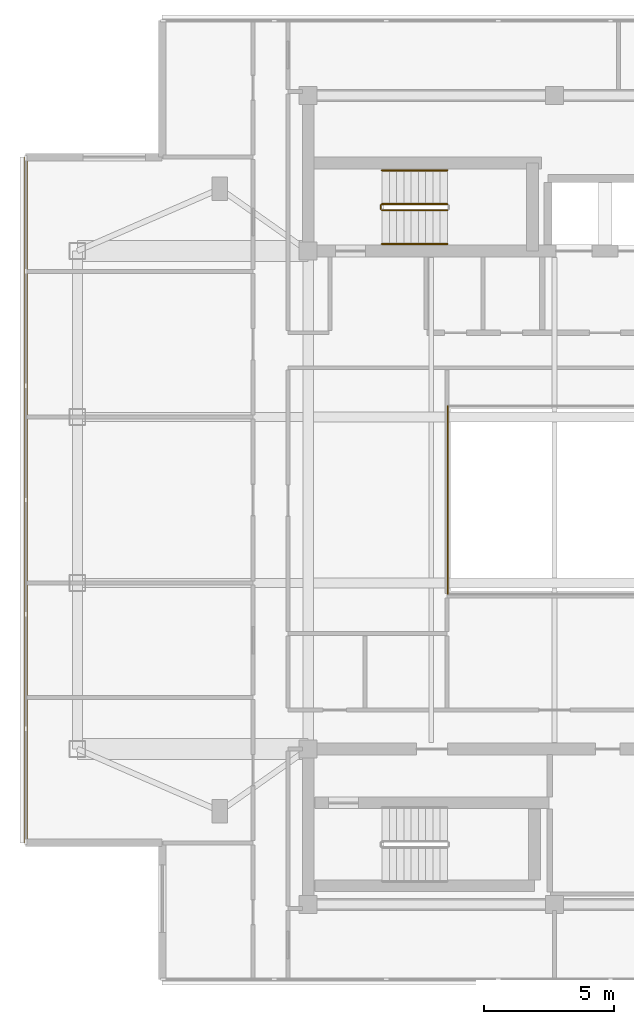
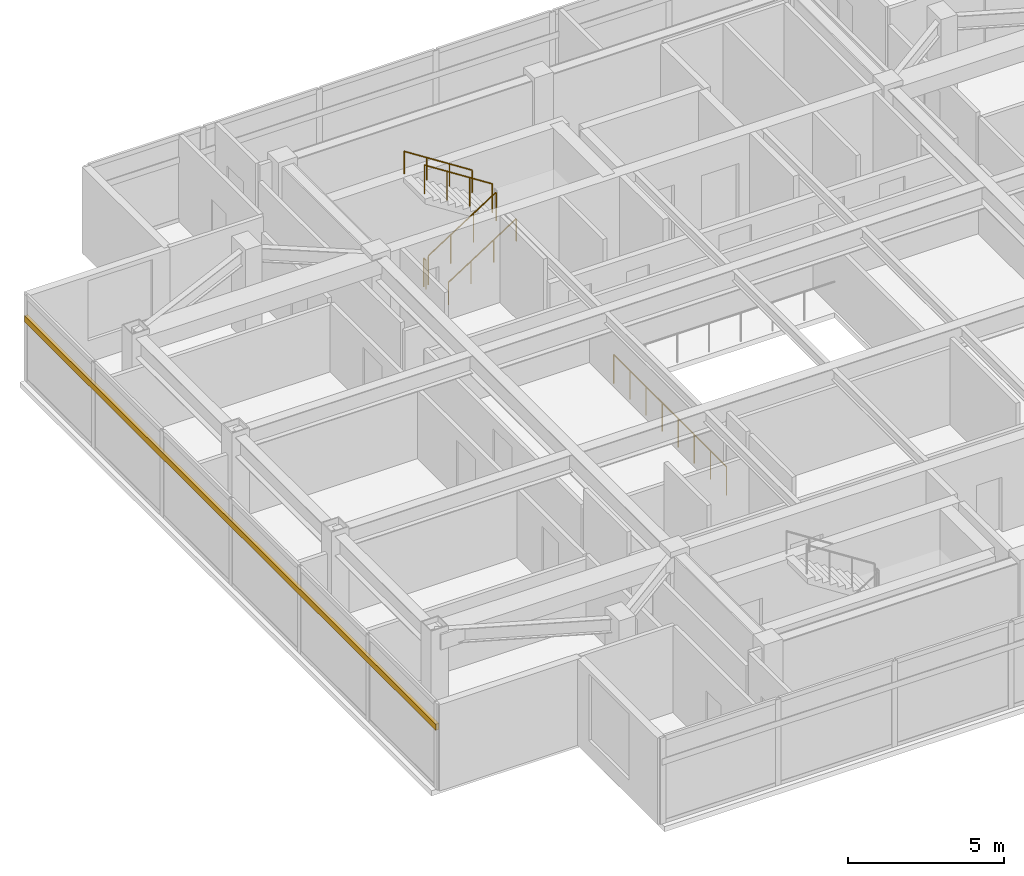
# One storey, part 10 of 12: 6 railings, 1 shading device.
"""IFC4 building model written with IfcOpenShell, lengths in metres."""

from ifc_helpers import new_model, si_unit, direction, frame, origin, origin_2d, place, context, subcontext, project, spatial, rectangle, circle, extrude, material, material_profile, profile_set, type_object, element, save


model = new_model("IFC4")

# Units and contexts
model_context = context("Model", 3, precision=1e-05, world=origin(), true_north=direction((0.0, 1.0)))
body_context = subcontext(model_context, "Body", "Model", "MODEL_VIEW")
ifc_project = project(units=[si_unit("LENGTHUNIT", "METRE"), si_unit("AREAUNIT", "SQUARE_METRE"), si_unit("VOLUMEUNIT", "CUBIC_METRE"), si_unit("PLANEANGLEUNIT", "RADIAN"), si_unit("MASSUNIT", "GRAM", prefix="KILO")], contexts=[model_context])

# Site, building, storey
site_placement = place(None, origin())
site = spatial("IfcSite", under=ifc_project, at=site_placement, CompositionType="ELEMENT")
building_placement = place(site_placement, origin())
building = spatial("IfcBuilding", under=site, at=building_placement, Name="Mirazonda Arch Towers", CompositionType="ELEMENT")
storey_placement = place(building_placement, frame((0.0, 0.0, 256.300048828125)))
storey = spatial("IfcBuildingStorey", under=building, at=storey_placement, Name="L73", CompositionType="ELEMENT", Elevation=256.300048828125)

# Shading device
ifc_material_1 = material(Name="Kiln-Fired Architectural Terracotta", Category="masonry")
ifc_material_profile = material_profile(ifc_material_1, rectangle(XDim=0.1201171875, YDim=0.239990234375, at=origin_2d()), Name="TERRA-BAG-120x240")
ifc_profile_set = profile_set([ifc_material_profile], Name="Kiln-Fired Architectural Terracotta")
shading_device_type = type_object("IfcShadingDeviceType", Name="BAGUETTE-1", PredefinedType="USERDEFINED", material=ifc_profile_set)
shading_device_placement = place(storey_placement, frame((0.110107421875, 41.220947265625, 2.43359375), z_axis=(0.0, -1.0, 0.0), x_axis=(1.0, 0.0, 0.0)))
element("IfcShadingDevice", 1, at=shading_device_placement, inside=storey, type_object=shading_device_type, Name="L73 Glazed Terracotta Sun-Screen Baguette CW-L73-T1-W", ObjectType="BAGUETTE", PredefinedType="USERDEFINED", context=body_context, shape_type="SweptSolid", body=[
    extrude(rectangle(XDim=0.1201171875, YDim=0.239990234375, at=origin_2d()), origin(), (0.0, 0.0, 1.0), 26.44189453125),
])

# Railings
ifc_material_2 = material(Name="Insulated Low-E Solar Glass", Category="glass")
railing_type_1 = type_object("IfcRailingType", Name="BALUSTRADE-ATRIUM-1150", PredefinedType="BALUSTRADE", material=ifc_material_2)
railing_1_placement = place(storey_placement, frame((16.3798828125, 31.6201171875, 0.0)))
element("IfcRailing", 2, at=railing_1_placement, inside=storey, type_object=railing_type_1, Name="L73 L73 Sky-Lookout Oculus Balustrade 04", PredefinedType="BALUSTRADE", context=body_context, shape_type="SweptSolid", body=[
    extrude(circle(Radius=0.02392578125, at=origin_2d()), frame((0.0, 0.0, 1.1259765625), z_axis=(0.0, -1.0, 0.0), x_axis=(1.0, 0.0, 0.0)), (0.0, 0.0, 1.0), 7.240234375),
    extrude(circle(Radius=0.02099609375, at=origin_2d()), origin(), (0.0, 0.0, 1.0), 1.101806640625),
    extrude(circle(Radius=0.02099609375, at=origin_2d()), frame((0.0, -1.034423828125, 0.0)), (0.0, 0.0, 1.0), 1.101806640625),
    extrude(circle(Radius=0.02099609375, at=origin_2d()), frame((0.0, -2.068603515625, 0.0)), (0.0, 0.0, 1.0), 1.101806640625),
    extrude(circle(Radius=0.02099609375, at=origin_2d()), frame((0.0, -3.10302734375, 0.0)), (0.0, 0.0, 1.0), 1.101806640625),
    extrude(circle(Radius=0.02099609375, at=origin_2d()), frame((0.0, -4.13720703125, 0.0)), (0.0, 0.0, 1.0), 1.101806640625),
    extrude(circle(Radius=0.02099609375, at=origin_2d()), frame((0.0, -5.171630859375, 0.0)), (0.0, 0.0, 1.0), 1.101806640625),
    extrude(circle(Radius=0.02099609375, at=origin_2d()), frame((0.0, -6.205810546875, 0.0)), (0.0, 0.0, 1.0), 1.101806640625),
    extrude(circle(Radius=0.02099609375, at=origin_2d()), frame((0.0, -7.240234375, 0.0)), (0.0, 0.0, 1.0), 1.101806640625),
])
ifc_material_3 = material(Name="Architectural Brushed Steel S355", Category="steel")
railing_type_2 = type_object("IfcRailingType", Name="GUARD-STAIR-1120", PredefinedType="GUARDRAIL", material=ifc_material_3)
railing_2_placement = place(storey_placement, frame((13.85009765625, 39.169921875, 0.179931640625)))
element("IfcRailing", 3, at=railing_2_placement, inside=storey, type_object=railing_type_2, Name="L73 ST-T1N stair guard 1", PredefinedType="GUARDRAIL", context=body_context, shape_type="SweptSolid", body=[
    extrude(circle(Radius=0.02392578125, at=origin_2d()), frame((0.0, 0.0, 1.1259765625), z_axis=(0.841162588446, 0.0, 0.540782303519), x_axis=(0.0, 1.0, 0.0)), (0.0, 0.0, 1.0), 2.995849609375),
    extrude(circle(Radius=0.02099609375, at=origin_2d()), origin(), (0.0, 0.0, 1.0), 1.101806640625),
    extrude(circle(Radius=0.02099609375, at=origin_2d()), frame((0.840087890625, 0.0, 0.5400390625)), (0.0, 0.0, 1.0), 1.101806640625),
    extrude(circle(Radius=0.02099609375, at=origin_2d()), frame((1.679931640625, 0.0, 1.080078125)), (0.0, 0.0, 1.0), 1.101806640625),
    extrude(circle(Radius=0.02099609375, at=origin_2d()), frame((2.52001953125, 0.0, 1.6201171875)), (0.0, 0.0, 1.0), 1.101806640625),
])
railing_3_placement = place(storey_placement, frame((16.3701171875, 39.409912109375, 1.97998046875)))
element("IfcRailing", 4, at=railing_3_placement, inside=storey, type_object=railing_type_2, Name="L73 ST-T1N stair guard 3", PredefinedType="GUARDRAIL", context=body_context, shape_type="SweptSolid", body=[
    extrude(circle(Radius=0.02392578125, at=origin_2d()), frame((0.0, 0.0, 1.1259765625), z_axis=(-0.841199657755, 0.0, 0.540724639528), x_axis=(0.0, -1.0, 0.0)), (0.0, 0.0, 1.0), 2.995849609375),
    extrude(circle(Radius=0.02099609375, at=origin_2d()), origin(), (0.0, 0.0, 1.0), 1.101806640625),
    extrude(circle(Radius=0.02099609375, at=origin_2d()), frame((-0.840087890625, 0.0, 0.5400390625)), (0.0, 0.0, 1.0), 1.101806640625),
    extrude(circle(Radius=0.02099609375, at=origin_2d()), frame((-1.679931640625, 0.0, 1.079833984375)), (0.0, 0.0, 1.0), 1.101806640625),
    extrude(circle(Radius=0.02099609375, at=origin_2d()), frame((-2.52001953125, 0.0, 1.619873046875)), (0.0, 0.0, 1.0), 1.101806640625),
])
railing_4_placement = place(storey_placement, frame((13.800048828125, 39.219970703125, 0.0)))
element("IfcRailing", 5, at=railing_4_placement, inside=storey, type_object=railing_type_2, Name="L73 ST-T1N stair guard 4", PredefinedType="GUARDRAIL", context=body_context, shape_type="SweptSolid", body=[
    extrude(circle(Radius=0.02392578125, at=origin_2d()), frame((0.0, 0.0, 1.1259765625), z_axis=(0.0, 1.0, 0.0), x_axis=(-1.0, 0.0, 0.0)), (0.0, 0.0, 1.0), 0.14013671875),
    extrude(circle(Radius=0.02099609375, at=origin_2d()), origin(), (0.0, 0.0, 1.0), 1.101806640625),
    extrude(circle(Radius=0.02099609375, at=origin_2d()), frame((0.0, 0.14013671875, 0.0)), (0.0, 0.0, 1.0), 1.101806640625),
])
railing_type_3 = type_object("IfcRailingType", Name="HANDRAIL-915", PredefinedType="HANDRAIL", material=ifc_material_3)
railing_5_placement = place(storey_placement, frame((13.85009765625, 37.8701171875, 0.179931640625)))
element("IfcRailing", 6, at=railing_5_placement, inside=storey, type_object=railing_type_3, Name="L73 ST-T1N stair handrail 1", PredefinedType="HANDRAIL", context=body_context, shape_type="SweptSolid", body=[
    extrude(circle(Radius=0.02392578125, at=origin_2d()), frame((0.0, 0.0, 0.8759765625), z_axis=(0.841162588446, 0.0, 0.540782303519), x_axis=(0.0, 1.0, 0.0)), (0.0, 0.0, 1.0), 2.995849609375),
    extrude(circle(Radius=0.02099609375, at=origin_2d()), origin(), (0.0, 0.0, 1.0), 0.851806640625),
    extrude(circle(Radius=0.02099609375, at=origin_2d()), frame((0.840087890625, 0.0, 0.5400390625)), (0.0, 0.0, 1.0), 0.851806640625),
    extrude(circle(Radius=0.02099609375, at=origin_2d()), frame((1.679931640625, 0.0, 1.080078125)), (0.0, 0.0, 1.0), 0.851806640625),
    extrude(circle(Radius=0.02099609375, at=origin_2d()), frame((2.52001953125, 0.0, 1.6201171875)), (0.0, 0.0, 1.0), 0.851806640625),
])
railing_6_placement = place(storey_placement, frame((16.3701171875, 40.7099609375, 1.97998046875)))
element("IfcRailing", 7, at=railing_6_placement, inside=storey, type_object=railing_type_3, Name="L73 ST-T1N stair handrail 2", PredefinedType="HANDRAIL", context=body_context, shape_type="SweptSolid", body=[
    extrude(circle(Radius=0.02392578125, at=origin_2d()), frame((0.0, 0.0, 0.8759765625), z_axis=(-0.841199657755, 0.0, 0.540724639528), x_axis=(0.0, -1.0, 0.0)), (0.0, 0.0, 1.0), 2.995849609375),
    extrude(circle(Radius=0.02099609375, at=origin_2d()), origin(), (0.0, 0.0, 1.0), 0.851806640625),
    extrude(circle(Radius=0.02099609375, at=origin_2d()), frame((-0.840087890625, 0.0, 0.5400390625)), (0.0, 0.0, 1.0), 0.851806640625),
    extrude(circle(Radius=0.02099609375, at=origin_2d()), frame((-1.679931640625, 0.0, 1.079833984375)), (0.0, 0.0, 1.0), 0.851806640625),
    extrude(circle(Radius=0.02099609375, at=origin_2d()), frame((-2.52001953125, 0.0, 1.619873046875)), (0.0, 0.0, 1.0), 0.851806640625),
])

save(model, "model.ifc")
